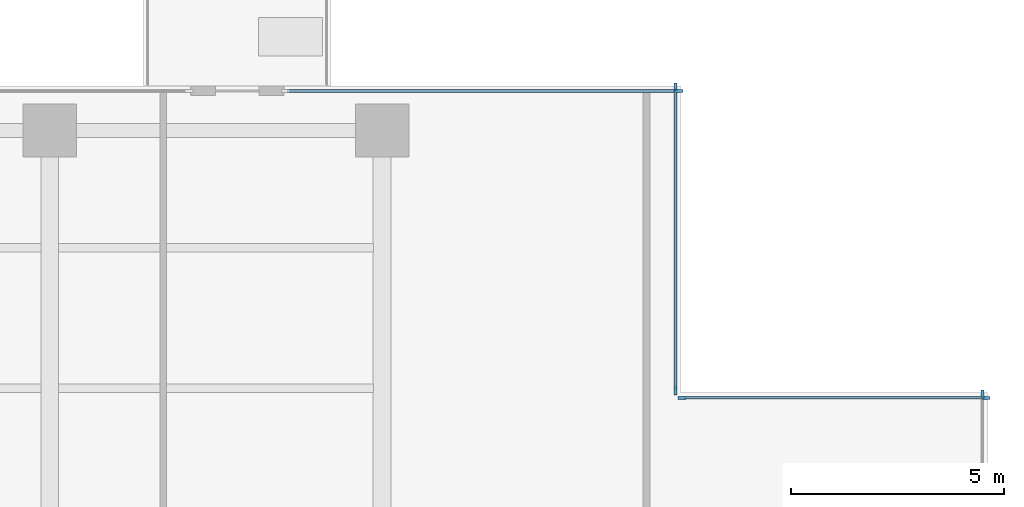
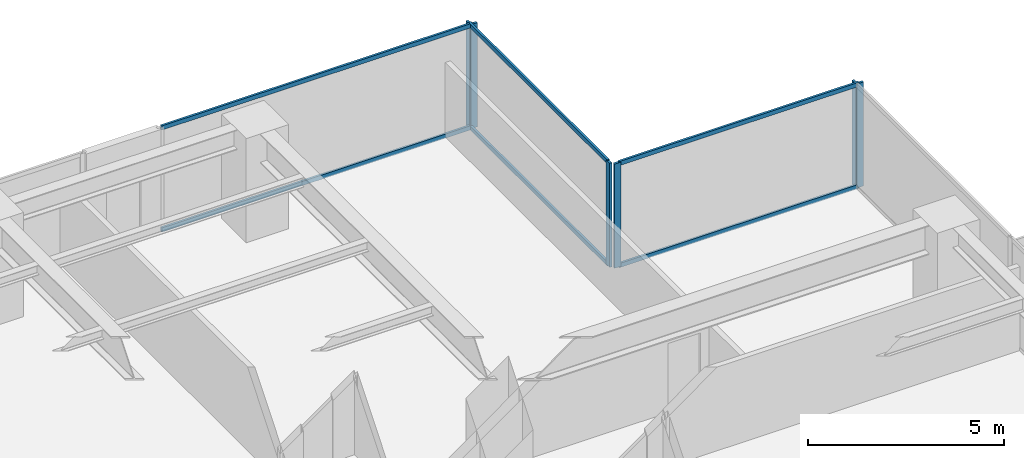
# One storey, part 6 of 17: 12 members, 4 elements without a shape of their own.
"""IFC4 building model written with IfcOpenShell, lengths in metres."""

from ifc_helpers import new_model, si_unit, direction, frame, origin, origin_2d, place, context, subcontext, project, spatial, rectangle, extrude, material, layer, layer_set, material_profile, profile_set, type_object, element, aggregate, save


model = new_model("IFC4")

# Units and contexts
model_context = context("Model", 3, precision=1e-05, world=origin(), true_north=direction((0.0, 1.0)))
body_context = subcontext(model_context, "Body", "Model", "MODEL_VIEW")
ifc_project = project(units=[si_unit("LENGTHUNIT", "METRE"), si_unit("AREAUNIT", "SQUARE_METRE"), si_unit("VOLUMEUNIT", "CUBIC_METRE"), si_unit("PLANEANGLEUNIT", "RADIAN"), si_unit("MASSUNIT", "GRAM", prefix="KILO")], contexts=[model_context])

# Site, building, storey
site_placement = place(None, origin())
site = spatial("IfcSite", under=ifc_project, at=site_placement, CompositionType="ELEMENT")
building_placement = place(site_placement, origin())
building = spatial("IfcBuilding", under=site, at=building_placement, Name="Qalmaran Belvedere Hotel", CompositionType="ELEMENT")
storey_placement = place(building_placement, frame((0.0, 0.0, 112.699951171875)))
storey = spatial("IfcBuildingStorey", under=building, at=storey_placement, Name="L28", CompositionType="ELEMENT", Elevation=112.699951171875)

# Curtain wall, member
ifc_material = material(Name="Anodised Bronze Aluminium", Category="aluminium")
ifc_layer = layer(ifc_material, 0.199951171875, Name="Anodised Bronze Aluminium")
ifc_layer_set = layer_set([ifc_layer], Name="Anodised Bronze Aluminium")
curtain_wall_type = type_object("IfcCurtainWallType", Name="CW3-TOWER-LOWMID", PredefinedType="NOTDEFINED", material=ifc_layer_set)
curtain_wall_1_placement = place(storey_placement, origin())
curtain_wall_1 = element("IfcCurtainWall", 1, at=curtain_wall_1_placement, inside=storey, type_object=curtain_wall_type, Name="L28 Curtain Wall CW3", PredefinedType="NOTDEFINED")
ifc_material_profile_1 = material_profile(ifc_material, rectangle(XDim=0.070068359375, YDim=0.18994140625, at=origin_2d()), Name="CWM70X190")
ifc_profile_set_1 = profile_set([ifc_material_profile_1], Name="Anodised Bronze Aluminium")
member_type_1 = type_object("IfcMemberType", Name="CWM-70X190", PredefinedType="MULLION", material=ifc_profile_set_1)
member_1_placement = place(storey_placement, frame((58.8798828125, 39.264892578125, 0.0), z_axis=(0.0, 0.0, 1.0), x_axis=(-1.0, 0.0, 0.0)))
member_1 = element("IfcMember", 2, at=member_1_placement, type_object=member_type_1, Name="CW3 mullion 5", PredefinedType="MULLION", context=body_context, shape_type="SweptSolid", body=[
    extrude(rectangle(XDim=0.070068359375, YDim=0.18994140625, at=origin_2d()), origin(), (0.0, 0.0, 1.0), 3.239990234375),
])
aggregate(curtain_wall_1, [member_1])

# Curtain wall, members
curtain_wall_2_placement = place(storey_placement, origin())
curtain_wall_2 = element("IfcCurtainWall", 3, at=curtain_wall_2_placement, inside=storey, type_object=curtain_wall_type, Name="L28 Curtain Wall CW3", PredefinedType="NOTDEFINED")
member_2_placement = place(storey_placement, frame((58.965087890625, 39.179931640625, 0.0), z_axis=(0.0, 0.0, 1.0), x_axis=(0.0, -1.0, 0.0)))
member_2 = element("IfcMember", 4, at=member_2_placement, type_object=member_type_1, Name="CW3 mullion 1", PredefinedType="MULLION", context=body_context, shape_type="SweptSolid", body=[
    extrude(rectangle(XDim=0.070068359375, YDim=0.18994140625, at=origin_2d()), origin(), (0.0, 0.0, 1.0), 3.239990234375),
])
member_3_placement = place(storey_placement, frame((51.8349609375, 39.179931640625, 0.0), z_axis=(0.0, 0.0, 1.0), x_axis=(0.0, -1.0, 0.0)))
member_3 = element("IfcMember", 5, at=member_3_placement, type_object=member_type_1, Name="CW3 mullion 2", PredefinedType="MULLION", context=body_context, shape_type="SweptSolid", body=[
    extrude(rectangle(XDim=0.070068359375, YDim=0.18994140625, at=origin_2d()), origin(), (0.0, 0.0, 1.0), 3.239990234375),
])

curtain_wall_3_placement = place(storey_placement, origin())
curtain_wall_3 = element("IfcCurtainWall", 6, at=curtain_wall_3_placement, inside=storey, type_object=curtain_wall_type, Name="L28 Curtain Wall CW3", PredefinedType="NOTDEFINED")
member_4_placement = place(storey_placement, frame((51.679931640625, 39.3349609375, 0.0), z_axis=(0.0, 0.0, 1.0), x_axis=(-1.0, 0.0, 0.0)))
member_4 = element("IfcMember", 7, at=member_4_placement, type_object=member_type_1, Name="CW3 mullion 1", PredefinedType="MULLION", context=body_context, shape_type="SweptSolid", body=[
    extrude(rectangle(XDim=0.070068359375, YDim=0.18994140625, at=origin_2d()), origin(), (0.0, 0.0, 1.0), 3.239990234375),
])
member_5_placement = place(storey_placement, frame((51.679931640625, 46.465087890625, 0.0), z_axis=(0.0, 0.0, 1.0), x_axis=(-1.0, 0.0, 0.0)))
member_5 = element("IfcMember", 8, at=member_5_placement, type_object=member_type_1, Name="CW3 mullion 2", PredefinedType="MULLION", context=body_context, shape_type="SweptSolid", body=[
    extrude(rectangle(XDim=0.070068359375, YDim=0.18994140625, at=origin_2d()), origin(), (0.0, 0.0, 1.0), 3.239990234375),
])

# Curtain wall, member
curtain_wall_4_placement = place(storey_placement, origin())
curtain_wall_4 = element("IfcCurtainWall", 9, at=curtain_wall_4_placement, inside=storey, type_object=curtain_wall_type, Name="L28 Curtain Wall CW3", PredefinedType="NOTDEFINED")
member_6_placement = place(storey_placement, frame((51.764892578125, 46.3798828125, 0.0), z_axis=(0.0, 0.0, 1.0), x_axis=(0.0, -1.0, 0.0)))
member_6 = element("IfcMember", 10, at=member_6_placement, type_object=member_type_1, Name="CW3 mullion 1", PredefinedType="MULLION", context=body_context, shape_type="SweptSolid", body=[
    extrude(rectangle(XDim=0.070068359375, YDim=0.18994140625, at=origin_2d()), origin(), (0.0, 0.0, 1.0), 3.239990234375),
])

# Member
ifc_material_profile_2 = material_profile(ifc_material, rectangle(XDim=0.06494140625, YDim=0.1298828125, at=origin_2d()), Name="CWT65X130")
ifc_profile_set_2 = profile_set([ifc_material_profile_2], Name="Anodised Bronze Aluminium")
member_type_2 = type_object("IfcMemberType", Name="CWT-65X130", PredefinedType="USERDEFINED", material=ifc_profile_set_2)
member_7_placement = place(storey_placement, frame((58.929931640625, 39.179931640625, 0.032470703125), z_axis=(-1.0, 0.0, 0.0), x_axis=(0.0, -1.0, 0.0)))
member_7 = element("IfcMember", 11, at=member_7_placement, type_object=member_type_2, Name="CW3 transom 1.1", ObjectType="TRANSOM", PredefinedType="USERDEFINED", context=body_context, shape_type="SweptSolid", body=[
    extrude(rectangle(XDim=0.06494140625, YDim=0.1298828125, at=origin_2d()), origin(), (0.0, 0.0, 1.0), 7.059814453125),
])

member_8_placement = place(storey_placement, frame((58.929931640625, 39.179931640625, 3.20751953125), z_axis=(-1.0, 0.0, 0.0), x_axis=(0.0, -1.0, 0.0)))
member_8 = element("IfcMember", 12, at=member_8_placement, type_object=member_type_2, Name="CW3 transom 1.2", ObjectType="TRANSOM", PredefinedType="USERDEFINED", context=body_context, shape_type="SweptSolid", body=[
    extrude(rectangle(XDim=0.06494140625, YDim=0.1298828125, at=origin_2d()), origin(), (0.0, 0.0, 1.0), 7.059814453125),
])

aggregate(curtain_wall_2, [member_2, member_3, member_7, member_8])

member_9_placement = place(storey_placement, frame((51.679931640625, 39.3701171875, 0.032470703125), z_axis=(0.0, 1.0, 0.0), x_axis=(-1.0, 0.0, 0.0)))
member_9 = element("IfcMember", 13, at=member_9_placement, type_object=member_type_2, Name="CW3 transom 1.1", ObjectType="TRANSOM", PredefinedType="USERDEFINED", context=body_context, shape_type="SweptSolid", body=[
    extrude(rectangle(XDim=0.06494140625, YDim=0.1298828125, at=origin_2d()), origin(), (0.0, 0.0, 1.0), 7.059814453125),
])

member_10_placement = place(storey_placement, frame((51.679931640625, 39.3701171875, 3.20751953125), z_axis=(0.0, 1.0, 0.0), x_axis=(-1.0, 0.0, 0.0)))
member_10 = element("IfcMember", 14, at=member_10_placement, type_object=member_type_2, Name="CW3 transom 1.2", ObjectType="TRANSOM", PredefinedType="USERDEFINED", context=body_context, shape_type="SweptSolid", body=[
    extrude(rectangle(XDim=0.06494140625, YDim=0.1298828125, at=origin_2d()), origin(), (0.0, 0.0, 1.0), 7.059814453125),
])

aggregate(curtain_wall_3, [member_4, member_5, member_9, member_10])

member_11_placement = place(storey_placement, frame((51.72998046875, 46.3798828125, 0.032470703125), z_axis=(-1.0, 0.0, 0.0), x_axis=(0.0, -1.0, 0.0)))
member_11 = element("IfcMember", 15, at=member_11_placement, type_object=member_type_2, Name="CW3 transom 1.1", ObjectType="TRANSOM", PredefinedType="USERDEFINED", context=body_context, shape_type="SweptSolid", body=[
    extrude(rectangle(XDim=0.06494140625, YDim=0.1298828125, at=origin_2d()), origin(), (0.0, 0.0, 1.0), 9.159912109375),
])

member_12_placement = place(storey_placement, frame((51.72998046875, 46.3798828125, 3.20751953125), z_axis=(-1.0, 0.0, 0.0), x_axis=(0.0, -1.0, 0.0)))
member_12 = element("IfcMember", 16, at=member_12_placement, type_object=member_type_2, Name="CW3 transom 1.2", ObjectType="TRANSOM", PredefinedType="USERDEFINED", context=body_context, shape_type="SweptSolid", body=[
    extrude(rectangle(XDim=0.06494140625, YDim=0.1298828125, at=origin_2d()), origin(), (0.0, 0.0, 1.0), 9.159912109375),
])

aggregate(curtain_wall_4, [member_6, member_11, member_12])

save(model, "model.ifc")
